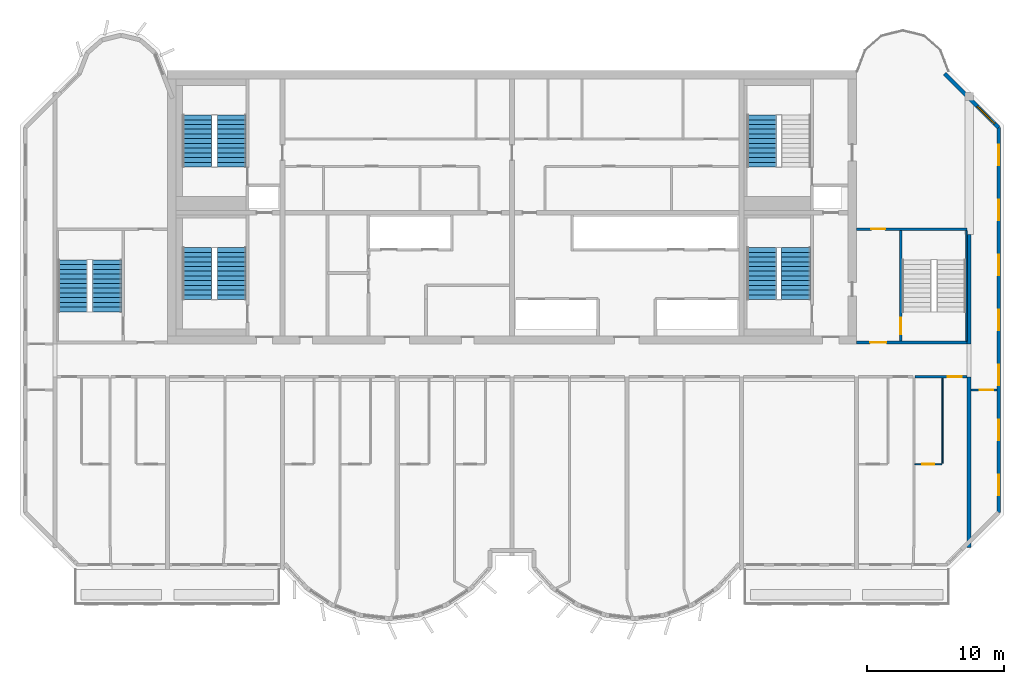
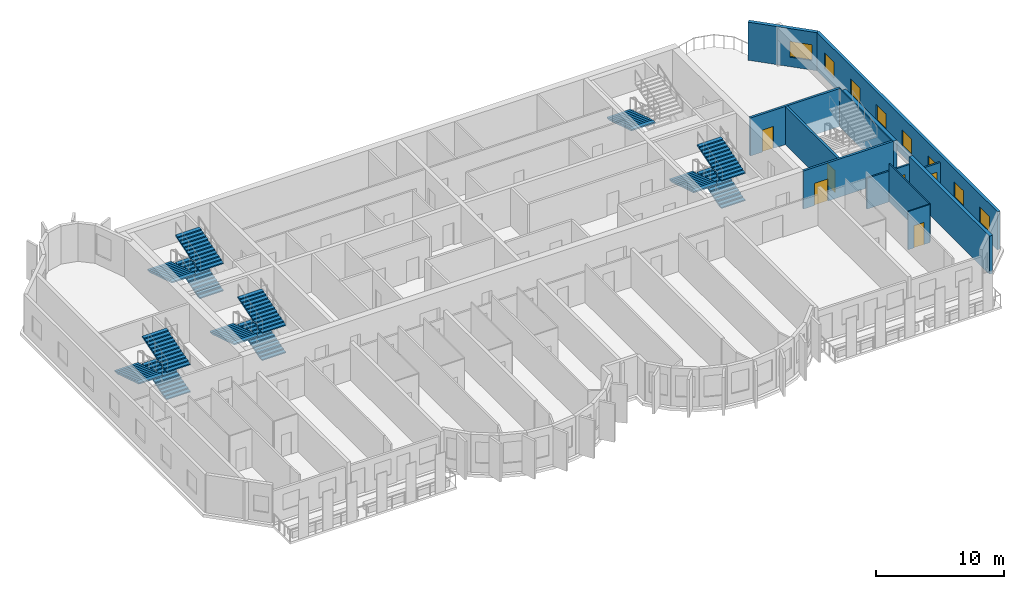
# One storey, part 8 of 12: 13 stair flights, 12 walls, 8 windows, 6 doors, 14 openings, 5 elements without a shape of their own.
"""IFC4 building model written with IfcOpenShell, lengths in metres."""

from ifc_helpers import new_model, si_unit, direction, frame, frame_2d, origin, place, context, subcontext, project, spatial, polyline, rectangle, outline, extrude, source, transform, mapped, material, layer, layer_set, type_object, element, fill, aggregate, save


model = new_model("IFC4")

# Units and contexts
model_context = context("Model", 3, precision=1e-05, world=origin(), true_north=direction((0.0, 1.0)))
body_context = subcontext(model_context, "Body", "Model", "MODEL_VIEW")
ifc_project = project(units=[si_unit("LENGTHUNIT", "METRE"), si_unit("AREAUNIT", "SQUARE_METRE"), si_unit("VOLUMEUNIT", "CUBIC_METRE"), si_unit("PLANEANGLEUNIT", "RADIAN"), si_unit("MASSUNIT", "GRAM", prefix="KILO")], contexts=[model_context])

# Site, building, storey
site_placement = place(None, origin())
site = spatial("IfcSite", under=ifc_project, at=site_placement, CompositionType="ELEMENT")
building_placement = place(site_placement, origin())
building = spatial("IfcBuilding", under=site, at=building_placement, Name="Vanashikhar Sky Hotel", CompositionType="ELEMENT")
storey_placement = place(building_placement, frame((0.0, 0.0, 237.39990234375)))
storey = spatial("IfcBuildingStorey", under=building, at=storey_placement, Name="L57", CompositionType="ELEMENT", Elevation=237.39990234375)

# Walls
ifc_material_1 = material(Name="Concrete M60", Category="concrete")
ifc_layer_1 = layer(ifc_material_1, 0.300048828125)
ifc_layer_set_1 = layer_set([ifc_layer_1], Name="RC shear wall 300 Concrete M60")
wall_type_1 = type_object("IfcWallType", Name="RC shear wall 300 Concrete M60", PredefinedType="SHEAR", material=ifc_layer_set_1)
shared_shape_1 = source(origin(), body_context, "Body", "SweptSolid", [
    extrude(rectangle(XDim=12.5, YDim=0.300048828125, at=frame_2d((6.25, 0.0))), origin(), (0.0, 0.0, 1.0), 3.6201171875),
])
wall_1_placement = place(storey_placement, frame((83.85009765625, 7.10009765625, 0.0), z_axis=(0.0, 0.0, 1.0), x_axis=(0.0, 1.0, 0.0)))
element("IfcWall", 1, at=wall_1_placement, inside=storey, type_object=wall_type_1, Name="CW-L57-XW11-1", PredefinedType="SHEAR", context=body_context, shape_type="MappedRepresentation", body=[
    mapped(shared_shape_1, transform((0.0, 0.0, 0.0), scale=1.0)),
])
shared_shape_2 = source(origin(), body_context, "Body", "SweptSolid", [
    extrude(rectangle(XDim=8.0, YDim=0.300048828125, at=frame_2d((4.0, 0.0))), origin(), (0.0, 0.0, 1.0), 3.6201171875),
])
wall_2_placement = place(storey_placement, frame((83.85009765625, 22.0, 0.0), z_axis=(0.0, 0.0, 1.0), x_axis=(0.0, 1.0, 0.0)))
element("IfcWall", 2, at=wall_2_placement, inside=storey, type_object=wall_type_1, Name="CW-L57-XW11-2", PredefinedType="SHEAR", context=body_context, shape_type="MappedRepresentation", body=[
    mapped(shared_shape_2, transform((0.0, 0.0, 0.0), scale=1.0)),
])

# Wall, opening, window
ifc_material_2 = material(Name="Concrete M50", Category="concrete")
ifc_layer_2 = layer(ifc_material_2, 0.300048828125)
ifc_layer_set_2 = layer_set([ifc_layer_2], Name="Lobe wall 300")
wall_type_2 = type_object("IfcWallType", Name="Lobe wall 300", PredefinedType="SOLIDWALL", material=ifc_layer_set_2)
shared_shape_3 = source(origin(), body_context, "Body", "SweptSolid", [
    extrude(rectangle(XDim=5.576416015625, YDim=0.300048828125, at=frame_2d((2.7880859375, 0.0))), origin(), (0.0, 0.0, 1.0), 3.6201171875),
])
wall_3_placement = place(storey_placement, frame((86.0, 37.834228515625, 0.0), z_axis=(0.0, 0.0, 1.0), x_axis=(-0.707106781187, 0.707106781187, 0.0)))
wall_3 = element("IfcWall", 3, at=wall_3_placement, inside=storey, type_object=wall_type_2, Name="Corner wall", PredefinedType="SOLIDWALL", context=body_context, shape_type="MappedRepresentation", body=[
    mapped(shared_shape_3, transform((0.0, 0.0, 0.0), scale=1.0)),
])
shared_shape_4 = source(origin(), body_context, "Body", "SweptSolid", [
    extrude(rectangle(XDim=1.800048828125, YDim=1.5, at=frame_2d((0.89990234375, 0.75))), frame((0.0, 0.16015625, 0.0), z_axis=(0.0, -1.0, 0.0), x_axis=(1.0, 0.0, 0.0)), (0.0, 0.0, 1.0), 0.320068359375),
])
opening_1_placement = place(wall_3_placement, frame((0.399169921875, 0.0, 0.89990234375)))
opening_1 = element("IfcOpeningElement", 4, at=opening_1_placement, cuts=wall_3, Name="Opening WN-4", PredefinedType="OPENING", context=body_context, shape_type="MappedRepresentation", body=[
    mapped(shared_shape_4, transform((0.0, 0.0, 0.0), scale=1.0)),
])
ifc_material_3 = material(Name="Glass", Category="glass")
window_type_1 = type_object("IfcWindowType", Name="Corner window 1800 x 1500", PartitioningType="SINGLE_PANEL", PredefinedType="WINDOW", material=ifc_material_3)
shared_shape_5 = source(origin(), body_context, "Body", "SweptSolid", [
    extrude(rectangle(XDim=1.800048828125, YDim=1.5, at=frame_2d((0.89990234375, 0.75))), frame((0.0, 0.030029296875, 0.0), z_axis=(0.0, -1.0, 0.0), x_axis=(1.0, 0.0, 0.0)), (0.0, 0.0, 1.0), 0.06005859375),
])
window_1_placement = place(opening_1_placement, origin())
window_1 = element("IfcWindow", 5, at=window_1_placement, inside=storey, type_object=window_type_1, Name="Window WN-4", OverallHeight=1.5, OverallWidth=1.800048828125, PartitioningType="SINGLE_PANEL", PredefinedType="WINDOW", context=body_context, shape_type="MappedRepresentation", body=[
    mapped(shared_shape_5, transform((0.0, 0.0, 0.0), scale=1.0)),
])
fill(opening_1, window_1)

# Wall, openings, windows
ifc_layer_3 = layer(ifc_material_2, 0.25)
ifc_layer_set_3 = layer_set([ifc_layer_3], Name="Rear and end board-marked wall 250")
wall_type_3 = type_object("IfcWallType", Name="Rear and end board-marked wall 250", PredefinedType="SOLIDWALL", material=ifc_layer_set_3)
shared_shape_6 = source(origin(), body_context, "Body", "SweptSolid", [
    extrude(rectangle(XDim=28.189453125, YDim=0.25, at=frame_2d((14.0947265625, 0.0))), origin(), (0.0, 0.0, 1.0), 3.6201171875),
])
wall_4_placement = place(storey_placement, frame((86.02490234375, 9.6552734375, 0.0), z_axis=(0.0, 0.0, 1.0), x_axis=(0.0, 1.0, 0.0)))
wall_4 = element("IfcWall", 6, at=wall_4_placement, inside=storey, type_object=wall_type_3, Name="End board-marked wall", PredefinedType="SOLIDWALL", context=body_context, shape_type="MappedRepresentation", body=[
    mapped(shared_shape_6, transform((0.0, 0.0, 0.0), scale=1.0)),
])
shared_shape_7 = source(origin(), body_context, "Body", "SweptSolid", [
    extrude(rectangle(XDim=1.5, YDim=1.5, at=frame_2d((0.75, 0.75))), frame((0.0, 0.135009765625, 0.0), z_axis=(0.0, -1.0, 0.0), x_axis=(1.0, 0.0, 0.0)), (0.0, 0.0, 1.0), 0.27001953125),
])
opening_2_placement = place(wall_4_placement, frame((1.263427734375, 0.0, 0.89990234375)))
opening_2 = element("IfcOpeningElement", 7, at=opening_2_placement, cuts=wall_4, Name="Opening WN-1", PredefinedType="OPENING", context=body_context, shape_type="MappedRepresentation", body=[
    mapped(shared_shape_7, transform((0.0, 0.0, 0.0), scale=1.0)),
])
opening_3_placement = place(wall_4_placement, frame((5.29052734375, 0.0, 0.89990234375)))
opening_3 = element("IfcOpeningElement", 8, at=opening_3_placement, cuts=wall_4, Name="Opening WN-1", PredefinedType="OPENING", context=body_context, shape_type="MappedRepresentation", body=[
    mapped(shared_shape_7, transform((0.0, 0.0, 0.0), scale=1.0)),
])
opening_4_placement = place(wall_4_placement, frame((9.317626953125, 0.0, 0.89990234375)))
opening_4 = element("IfcOpeningElement", 9, at=opening_4_placement, cuts=wall_4, Name="Opening WN-1", PredefinedType="OPENING", context=body_context, shape_type="MappedRepresentation", body=[
    mapped(shared_shape_7, transform((0.0, 0.0, 0.0), scale=1.0)),
])
opening_5_placement = place(wall_4_placement, frame((13.3447265625, 0.0, 0.89990234375)))
opening_5 = element("IfcOpeningElement", 10, at=opening_5_placement, cuts=wall_4, Name="Opening WN-1", PredefinedType="OPENING", context=body_context, shape_type="MappedRepresentation", body=[
    mapped(shared_shape_7, transform((0.0, 0.0, 0.0), scale=1.0)),
])
opening_6_placement = place(wall_4_placement, frame((17.371826171875, 0.0, 0.89990234375)))
opening_6 = element("IfcOpeningElement", 11, at=opening_6_placement, cuts=wall_4, Name="Opening WN-1", PredefinedType="OPENING", context=body_context, shape_type="MappedRepresentation", body=[
    mapped(shared_shape_7, transform((0.0, 0.0, 0.0), scale=1.0)),
])
opening_7_placement = place(wall_4_placement, frame((21.398681640625, 0.0, 0.89990234375)))
opening_7 = element("IfcOpeningElement", 12, at=opening_7_placement, cuts=wall_4, Name="Opening WN-1", PredefinedType="OPENING", context=body_context, shape_type="MappedRepresentation", body=[
    mapped(shared_shape_7, transform((0.0, 0.0, 0.0), scale=1.0)),
])
opening_8_placement = place(wall_4_placement, frame((25.42578125, 0.0, 0.89990234375)))
opening_8 = element("IfcOpeningElement", 13, at=opening_8_placement, cuts=wall_4, Name="Opening WN-1", PredefinedType="OPENING", context=body_context, shape_type="MappedRepresentation", body=[
    mapped(shared_shape_7, transform((0.0, 0.0, 0.0), scale=1.0)),
])
window_type_2 = type_object("IfcWindowType", Name="Window 1500 x 1500", PartitioningType="SINGLE_PANEL", PredefinedType="WINDOW", material=ifc_material_3)
shared_shape_8 = source(origin(), body_context, "Body", "SweptSolid", [
    extrude(rectangle(XDim=1.5, YDim=1.5, at=frame_2d((0.75, 0.75))), frame((0.0, 0.030029296875, 0.0), z_axis=(0.0, -1.0, 0.0), x_axis=(1.0, 0.0, 0.0)), (0.0, 0.0, 1.0), 0.06005859375),
])
window_2_placement = place(opening_2_placement, origin())
window_2 = element("IfcWindow", 14, at=window_2_placement, inside=storey, type_object=window_type_2, Name="Window WN-1", OverallHeight=1.5, OverallWidth=1.5, PartitioningType="SINGLE_PANEL", PredefinedType="WINDOW", context=body_context, shape_type="MappedRepresentation", body=[
    mapped(shared_shape_8, transform((0.0, 0.0, 0.0), scale=1.0)),
])
fill(opening_2, window_2)
window_3_placement = place(opening_3_placement, origin())
window_3 = element("IfcWindow", 15, at=window_3_placement, inside=storey, type_object=window_type_2, Name="Window WN-1", OverallHeight=1.5, OverallWidth=1.5, PartitioningType="SINGLE_PANEL", PredefinedType="WINDOW", context=body_context, shape_type="MappedRepresentation", body=[
    mapped(shared_shape_8, transform((0.0, 0.0, 0.0), scale=1.0)),
])
fill(opening_3, window_3)
window_4_placement = place(opening_4_placement, origin())
window_4 = element("IfcWindow", 16, at=window_4_placement, inside=storey, type_object=window_type_2, Name="Window WN-1", OverallHeight=1.5, OverallWidth=1.5, PartitioningType="SINGLE_PANEL", PredefinedType="WINDOW", context=body_context, shape_type="MappedRepresentation", body=[
    mapped(shared_shape_8, transform((0.0, 0.0, 0.0), scale=1.0)),
])
fill(opening_4, window_4)
window_5_placement = place(opening_5_placement, origin())
window_5 = element("IfcWindow", 17, at=window_5_placement, inside=storey, type_object=window_type_2, Name="Window WN-1", OverallHeight=1.5, OverallWidth=1.5, PartitioningType="SINGLE_PANEL", PredefinedType="WINDOW", context=body_context, shape_type="MappedRepresentation", body=[
    mapped(shared_shape_8, transform((0.0, 0.0, 0.0), scale=1.0)),
])
fill(opening_5, window_5)
window_6_placement = place(opening_6_placement, origin())
window_6 = element("IfcWindow", 18, at=window_6_placement, inside=storey, type_object=window_type_2, Name="Window WN-1", OverallHeight=1.5, OverallWidth=1.5, PartitioningType="SINGLE_PANEL", PredefinedType="WINDOW", context=body_context, shape_type="MappedRepresentation", body=[
    mapped(shared_shape_8, transform((0.0, 0.0, 0.0), scale=1.0)),
])
fill(opening_6, window_6)
window_7_placement = place(opening_7_placement, origin())
window_7 = element("IfcWindow", 19, at=window_7_placement, inside=storey, type_object=window_type_2, Name="Window WN-1", OverallHeight=1.5, OverallWidth=1.5, PartitioningType="SINGLE_PANEL", PredefinedType="WINDOW", context=body_context, shape_type="MappedRepresentation", body=[
    mapped(shared_shape_8, transform((0.0, 0.0, 0.0), scale=1.0)),
])
fill(opening_7, window_7)
window_8_placement = place(opening_8_placement, origin())
window_8 = element("IfcWindow", 20, at=window_8_placement, inside=storey, type_object=window_type_2, Name="Window WN-1", OverallHeight=1.5, OverallWidth=1.5, PartitioningType="SINGLE_PANEL", PredefinedType="WINDOW", context=body_context, shape_type="MappedRepresentation", body=[
    mapped(shared_shape_8, transform((0.0, 0.0, 0.0), scale=1.0)),
])
fill(opening_8, window_8)

# Wall, opening, door
ifc_layer_4 = layer(ifc_material_2, 0.199951171875)
ifc_layer_set_4 = layer_set([ifc_layer_4], Name="Stair wall 200")
wall_type_4 = type_object("IfcWallType", Name="Stair wall 200", PredefinedType="SOLIDWALL", material=ifc_layer_set_4)
shared_shape_9 = source(origin(), body_context, "Body", "SweptSolid", [
    extrude(rectangle(XDim=8.2998046875, YDim=0.199951171875, at=frame_2d((4.14990234375, 0.0))), origin(), (0.0, 0.0, 1.0), 3.6201171875),
])
wall_5_placement = place(storey_placement, frame((78.85009765625, 22.10009765625, 0.0), z_axis=(0.0, 0.0, 1.0), x_axis=(0.0, 1.0, 0.0)))
wall_5 = element("IfcWall", 21, at=wall_5_placement, inside=storey, type_object=wall_type_4, Name="Stair wall 200", PredefinedType="SOLIDWALL", context=body_context, shape_type="MappedRepresentation", body=[
    mapped(shared_shape_9, transform((0.0, 0.0, 0.0), scale=1.0)),
])
shared_shape_10 = source(origin(), body_context, "Body", "SweptSolid", [
    extrude(rectangle(XDim=1.199951171875, YDim=2.10009765625, at=frame_2d((0.60009765625, 1.050048828125))), frame((0.0, 0.10986328125, 0.0), z_axis=(0.0, -1.0, 0.0), x_axis=(1.0, 0.0, 0.0)), (0.0, 0.0, 1.0), 0.219970703125),
])
opening_9_placement = place(wall_5_placement, frame((0.60009765625, 0.0, 0.0)))
opening_9 = element("IfcOpeningElement", 22, at=opening_9_placement, cuts=wall_5, Name="Opening DC-1", PredefinedType="OPENING", context=body_context, shape_type="MappedRepresentation", body=[
    mapped(shared_shape_10, transform((0.0, 0.0, 0.0), scale=1.0)),
])
ifc_material_4 = material(Name="Steel", Category="steel")
door_type_1 = type_object("IfcDoorType", Name="Stair door 1200 FD120", OperationType="NOTDEFINED", PredefinedType="DOOR", material=ifc_material_4)
shared_shape_11 = source(origin(), body_context, "Body", "SweptSolid", [
    extrude(rectangle(XDim=1.199951171875, YDim=2.10009765625, at=frame_2d((0.60009765625, 1.050048828125))), frame((0.0, 0.02490234375, 0.0), z_axis=(0.0, -1.0, 0.0), x_axis=(1.0, 0.0, 0.0)), (0.0, 0.0, 1.0), 0.050048828125),
])
door_1_placement = place(opening_9_placement, origin())
door_1 = element("IfcDoor", 23, at=door_1_placement, inside=storey, type_object=door_type_1, Name="Stair door 1200 FD120", OperationType="SINGLE_SWING_RIGHT", OverallHeight=2.10009765625, OverallWidth=1.199951171875, PredefinedType="DOOR", context=body_context, shape_type="MappedRepresentation", body=[
    mapped(shared_shape_11, transform((0.0, 0.0, 0.0), scale=1.0)),
])
fill(opening_9, door_1)

shared_shape_12 = source(origin(), body_context, "Body", "SweptSolid", [
    extrude(rectangle(XDim=8.099853515625, YDim=0.199951171875, at=frame_2d((4.0498046875, 0.0))), origin(), (0.0, 0.0, 1.0), 3.6201171875),
])
wall_6_placement = place(storey_placement, frame((83.699951171875, 22.10009765625, 0.0), z_axis=(0.0, 0.0, 1.0), x_axis=(-1.0, 0.0, 0.0)))
wall_6 = element("IfcWall", 24, at=wall_6_placement, inside=storey, type_object=wall_type_4, Name="Stair wall 200", PredefinedType="SOLIDWALL", context=body_context, shape_type="MappedRepresentation", body=[
    mapped(shared_shape_12, transform((0.0, 0.0, 0.0), scale=1.0)),
])
opening_10_placement = place(wall_6_placement, frame((5.89990234375, 0.0, 0.0)))
opening_10 = element("IfcOpeningElement", 25, at=opening_10_placement, cuts=wall_6, Name="Opening DC-2", PredefinedType="OPENING", context=body_context, shape_type="MappedRepresentation", body=[
    mapped(shared_shape_10, transform((0.0, 0.0, 0.0), scale=1.0)),
])
door_type_2 = type_object("IfcDoorType", Name="Firefighting lobby door 1200 FD120", OperationType="NOTDEFINED", PredefinedType="DOOR", material=ifc_material_4)
door_2_placement = place(opening_10_placement, origin())
door_2 = element("IfcDoor", 26, at=door_2_placement, inside=storey, type_object=door_type_2, Name="Firefighting lobby door 1200 FD120", OperationType="SINGLE_SWING_LEFT", OverallHeight=2.10009765625, OverallWidth=1.199951171875, PredefinedType="DOOR", context=body_context, shape_type="MappedRepresentation", body=[
    mapped(shared_shape_11, transform((0.0, 0.0, 0.0), scale=1.0)),
])
fill(opening_10, door_2)

wall_7_placement = place(storey_placement, frame((83.699951171875, 30.39990234375, 0.0), z_axis=(0.0, 0.0, 1.0), x_axis=(-1.0, 0.0, 0.0)))
wall_7 = element("IfcWall", 27, at=wall_7_placement, inside=storey, type_object=wall_type_4, Name="Stair wall 200", PredefinedType="SOLIDWALL", context=body_context, shape_type="MappedRepresentation", body=[
    mapped(shared_shape_12, transform((0.0, 0.0, 0.0), scale=1.0)),
])
shared_shape_13 = source(origin(), body_context, "Body", "SweptSolid", [
    extrude(rectangle(XDim=1.0, YDim=2.10009765625, at=frame_2d((0.5, 1.050048828125))), frame((0.0, 0.10986328125, 0.0), z_axis=(0.0, -1.0, 0.0), x_axis=(1.0, 0.0, 0.0)), (0.0, 0.0, 1.0), 0.219970703125),
])
opening_11_placement = place(wall_7_placement, frame((6.0, 0.0, 0.0)))
opening_11 = element("IfcOpeningElement", 28, at=opening_11_placement, cuts=wall_7, Name="Opening DC-6", PredefinedType="OPENING", context=body_context, shape_type="MappedRepresentation", body=[
    mapped(shared_shape_13, transform((0.0, 0.0, 0.0), scale=1.0)),
])
door_type_3 = type_object("IfcDoorType", Name="Pocket door 1000 FD60", OperationType="NOTDEFINED", PredefinedType="DOOR", material=ifc_material_4)
shared_shape_14 = source(origin(), body_context, "Body", "SweptSolid", [
    extrude(rectangle(XDim=1.0, YDim=2.10009765625, at=frame_2d((0.5, 1.050048828125))), frame((0.0, 0.02490234375, 0.0), z_axis=(0.0, -1.0, 0.0), x_axis=(1.0, 0.0, 0.0)), (0.0, 0.0, 1.0), 0.050048828125),
])
door_3_placement = place(opening_11_placement, origin())
door_3 = element("IfcDoor", 29, at=door_3_placement, inside=storey, type_object=door_type_3, Name="Pocket door 1000 FD60", OperationType="SINGLE_SWING_LEFT", OverallHeight=2.10009765625, OverallWidth=1.0, PredefinedType="DOOR", context=body_context, shape_type="MappedRepresentation", body=[
    mapped(shared_shape_14, transform((0.0, 0.0, 0.0), scale=1.0)),
])
fill(opening_11, door_3)

# Wall
ifc_layer_5 = layer(ifc_material_2, 0.10009765625)
ifc_layer_set_5 = layer_set([ifc_layer_5], Name="Stair infill wall 100")
wall_type_5 = type_object("IfcWallType", Name="Stair infill wall 100", PredefinedType="SOLIDWALL", material=ifc_layer_set_5)
shared_shape_15 = source(origin(), body_context, "Body", "SweptSolid", [
    extrude(rectangle(XDim=8.10009765625, YDim=0.10009765625, at=frame_2d((4.050048828125, 0.0))), origin(), (0.0, 0.0, 1.0), 3.6201171875),
])
wall_8_placement = place(storey_placement, frame((83.64990234375, 22.199951171875, 0.0), z_axis=(0.0, 0.0, 1.0), x_axis=(0.0, 1.0, 0.0)))
element("IfcWall", 30, at=wall_8_placement, inside=storey, type_object=wall_type_5, Name="Stair infill wall 100", PredefinedType="SOLIDWALL", context=body_context, shape_type="MappedRepresentation", body=[
    mapped(shared_shape_15, transform((0.0, 0.0, 0.0), scale=1.0)),
])

# Wall, opening, door
ifc_material_5 = material(Name="Gypsum plasterboard partition")
ifc_layer_6 = layer(ifc_material_5, 0.10009765625)
ifc_layer_set_6 = layer_set([ifc_layer_6], Name="Wet room partition 100")
wall_type_6 = type_object("IfcWallType", Name="Wet room partition 100", PredefinedType="PARTITIONING", material=ifc_layer_set_6)
shared_shape_16 = source(origin(), body_context, "Body", "SweptSolid", [
    extrude(rectangle(XDim=1.97509765625, YDim=0.10009765625, at=frame_2d((0.987548828125, 0.0))), origin(), (0.0, 0.0, 1.0), 3.6201171875),
])
wall_9_placement = place(storey_placement, frame((79.875, 13.199951171875, 0.0), z_axis=(0.0, 0.0, 1.0), x_axis=(1.0, 0.0, 0.0)))
wall_9 = element("IfcWall", 31, at=wall_9_placement, inside=storey, type_object=wall_type_6, Name="W-L57-PW036", PredefinedType="PARTITIONING", context=body_context, shape_type="MappedRepresentation", body=[
    mapped(shared_shape_16, transform((0.0, 0.0, 0.0), scale=1.0)),
])
shared_shape_17 = source(origin(), body_context, "Body", "SweptSolid", [
    extrude(rectangle(XDim=0.89990234375, YDim=2.10009765625, at=frame_2d((0.449951171875, 1.050048828125))), frame((0.0, 0.06005859375, 0.0), z_axis=(0.0, -1.0, 0.0), x_axis=(1.0, 0.0, 0.0)), (0.0, 0.0, 1.0), 0.1201171875),
])
opening_12_placement = place(wall_9_placement, frame((0.5380859375, 0.0, 0.0)))
opening_12 = element("IfcOpeningElement", 32, at=opening_12_placement, cuts=wall_9, Name="Opening D-02", PredefinedType="OPENING", context=body_context, shape_type="MappedRepresentation", body=[
    mapped(shared_shape_17, transform((0.0, 0.0, 0.0), scale=1.0)),
])
ifc_material_6 = material(Name="Timber door", Category="wood")
door_type_4 = type_object("IfcDoorType", Name="Internal door 900", OperationType="NOTDEFINED", PredefinedType="DOOR", material=ifc_material_6)
shared_shape_18 = source(origin(), body_context, "Body", "SweptSolid", [
    extrude(rectangle(XDim=0.89990234375, YDim=2.10009765625, at=frame_2d((0.449951171875, 1.050048828125))), frame((0.0, 0.02490234375, 0.0), z_axis=(0.0, -1.0, 0.0), x_axis=(1.0, 0.0, 0.0)), (0.0, 0.0, 1.0), 0.050048828125),
])
door_4_placement = place(opening_12_placement, origin())
door_4 = element("IfcDoor", 33, at=door_4_placement, inside=storey, type_object=door_type_4, Name="D-L57-022", OperationType="SINGLE_SWING_RIGHT", OverallHeight=2.10009765625, OverallWidth=0.89990234375, PredefinedType="DOOR", context=body_context, shape_type="MappedRepresentation", body=[
    mapped(shared_shape_18, transform((0.0, 0.0, 0.0), scale=1.0)),
])
fill(opening_12, door_4)

ifc_layer_7 = layer(ifc_material_5, 0.14990234375)
ifc_layer_set_7 = layer_set([ifc_layer_7], Name="Corridor and demising partition 150")
wall_type_7 = type_object("IfcWallType", Name="Corridor and demising partition 150", PredefinedType="PARTITIONING", material=ifc_layer_set_7)
shared_shape_19 = source(origin(), body_context, "Body", "SweptSolid", [
    extrude(rectangle(XDim=3.824951171875, YDim=0.14990234375, at=frame_2d((1.91259765625, 0.0))), origin(), (0.0, 0.0, 1.0), 2.920166015625),
])
wall_10_placement = place(storey_placement, frame((79.875, 19.60009765625, 0.0), z_axis=(0.0, 0.0, 1.0), x_axis=(1.0, 0.0, 0.0)))
wall_10 = element("IfcWall", 34, at=wall_10_placement, inside=storey, type_object=wall_type_7, Name="W-L57-PW037", PredefinedType="PARTITIONING", context=body_context, shape_type="MappedRepresentation", body=[
    mapped(shared_shape_19, transform((0.0, 0.0, 0.0), scale=1.0)),
])
shared_shape_20 = source(origin(), body_context, "Body", "SweptSolid", [
    extrude(rectangle(XDim=1.0, YDim=2.10009765625, at=frame_2d((0.5, 1.050048828125))), frame((0.0, 0.0849609375, 0.0), z_axis=(0.0, -1.0, 0.0), x_axis=(1.0, 0.0, 0.0)), (0.0, 0.0, 1.0), 0.169921875),
])
opening_13_placement = place(wall_10_placement, frame((2.425048828125, 0.0, 0.0)))
opening_13 = element("IfcOpeningElement", 35, at=opening_13_placement, cuts=wall_10, Name="Opening D-01", PredefinedType="OPENING", context=body_context, shape_type="MappedRepresentation", body=[
    mapped(shared_shape_20, transform((0.0, 0.0, 0.0), scale=1.0)),
])
ifc_material_7 = material(Name="Timber fire door", Category="wood")
door_type_5 = type_object("IfcDoorType", Name="Guest entry door 1000 FD30S", OperationType="NOTDEFINED", PredefinedType="DOOR", material=ifc_material_7)
door_5_placement = place(opening_13_placement, origin())
door_5 = element("IfcDoor", 36, at=door_5_placement, inside=storey, type_object=door_type_5, Name="D-L57-023", OperationType="SINGLE_SWING_RIGHT", OverallHeight=2.10009765625, OverallWidth=1.0, PredefinedType="DOOR", context=body_context, shape_type="MappedRepresentation", body=[
    mapped(shared_shape_14, transform((0.0, 0.0, 0.0), scale=1.0)),
])
fill(opening_13, door_5)

shared_shape_21 = source(origin(), body_context, "Body", "SweptSolid", [
    extrude(rectangle(XDim=1.89990234375, YDim=0.14990234375, at=frame_2d((0.949951171875, 0.0))), origin(), (0.0, 0.0, 1.0), 2.920166015625),
])
wall_11_placement = place(storey_placement, frame((84.0, 18.6279296875, 0.0), z_axis=(0.0, 0.0, 1.0), x_axis=(1.0, 0.0, 0.0)))
wall_11 = element("IfcWall", 37, at=wall_11_placement, inside=storey, type_object=wall_type_7, Name="W-L57-PW043", PredefinedType="PARTITIONING", context=body_context, shape_type="MappedRepresentation", body=[
    mapped(shared_shape_21, transform((0.0, 0.0, 0.0), scale=1.0)),
])
opening_14_placement = place(wall_11_placement, frame((0.625, 0.0, 0.0)))
opening_14 = element("IfcOpeningElement", 38, at=opening_14_placement, cuts=wall_11, Name="Opening D-01", PredefinedType="OPENING", context=body_context, shape_type="MappedRepresentation", body=[
    mapped(shared_shape_20, transform((0.0, 0.0, 0.0), scale=1.0)),
])
door_6_placement = place(opening_14_placement, origin())
door_6 = element("IfcDoor", 39, at=door_6_placement, inside=storey, type_object=door_type_5, Name="D-L57-026", OperationType="SINGLE_SWING_RIGHT", OverallHeight=2.10009765625, OverallWidth=1.0, PredefinedType="DOOR", context=body_context, shape_type="MappedRepresentation", body=[
    mapped(shared_shape_14, transform((0.0, 0.0, 0.0), scale=1.0)),
])
fill(opening_14, door_6)

# Wall
shared_shape_22 = source(origin(), body_context, "Body", "SweptSolid", [
    extrude(rectangle(XDim=6.25, YDim=0.10009765625, at=frame_2d((3.125, 0.0))), origin(), (0.0, 0.0, 1.0), 3.6201171875),
])
wall_12_placement = place(storey_placement, frame((81.89990234375, 13.27490234375, 0.0), z_axis=(0.0, 0.0, 1.0), x_axis=(0.0, 1.0, 0.0)))
element("IfcWall", 40, at=wall_12_placement, inside=storey, type_object=wall_type_6, Name="W-L57-PW035", PredefinedType="PARTITIONING", context=body_context, shape_type="MappedRepresentation", body=[
    mapped(shared_shape_22, transform((0.0, 0.0, 0.0), scale=1.0)),
])

# Stair, stair flights
ifc_material_8 = material(Name="Concrete M40", Category="concrete")
stair_type = type_object("IfcStairType", Name="Exit stair 2150", PredefinedType="DOUBLE_RETURN_STAIR", material=ifc_material_8)
stair_1_placement = place(storey_placement, origin())
stair_1 = element("IfcStair", 41, at=stair_1_placement, inside=storey, type_object=stair_type, Name="L57 Exit stair 1", PredefinedType="DOUBLE_RETURN_STAIR")
stair_flight_type = type_object("IfcStairFlightType", Name="Stair flight 2150", PredefinedType="STRAIGHT", material=ifc_material_8)
shared_shape_23 = source(origin(), body_context, "Body", "SweptSolid", [
    extrude(outline(polyline([(0.0, 0.0), (0.0, 0.1083984375), (0.345458984375, 0.1083984375), (0.345458984375, 0.216552734375), (0.69091796875, 0.216552734375), (0.69091796875, 0.324951171875), (1.036376953125, 0.324951171875), (1.036376953125, 0.433349609375), (1.3818359375, 0.433349609375), (1.3818359375, 0.541748046875), (1.727294921875, 0.541748046875), (1.727294921875, 0.64990234375), (2.07275390625, 0.64990234375), (2.07275390625, 0.75830078125), (2.418212890625, 0.75830078125), (2.418212890625, 0.86669921875), (2.763671875, 0.86669921875), (2.763671875, 0.97509765625), (3.109130859375, 0.97509765625), (3.109130859375, 1.083251953125), (3.45458984375, 1.083251953125), (3.45458984375, 1.191650390625), (3.800048828125, 1.191650390625), (3.800048828125, 1.300048828125), (3.800048828125, 1.065673828125), (0.4013671875, 0.0), (0.0, 0.0)])), frame((0.0, 1.074951171875, 0.0), z_axis=(0.0, -1.0, 0.0), x_axis=(1.0, 0.0, 0.0)), (0.0, 0.0, 1.0), 2.14990234375),
])
stair_flight_1_placement = place(storey_placement, frame((29.875, 25.25, 0.0), z_axis=(0.0, 0.0, 1.0), x_axis=(0.0, 1.0, 0.0)))
stair_flight_1 = element("IfcStairFlight", 42, at=stair_flight_1_placement, type_object=stair_flight_type, Name="ST-C1 flight 1", NumberOfRisers=12, NumberOfTreads=11, PredefinedType="STRAIGHT", RiserHeight=0.108333333, TreadLength=0.345454545, context=body_context, shape_type="MappedRepresentation", body=[
    mapped(shared_shape_23, transform((0.0, 0.0, 0.0), scale=1.0)),
])
stair_flight_2_placement = place(storey_placement, frame((27.375, 29.050048828125, 1.300048828125), z_axis=(0.0, 0.0, 1.0), x_axis=(0.0, -1.0, 0.0)))
stair_flight_2 = element("IfcStairFlight", 43, at=stair_flight_2_placement, type_object=stair_flight_type, Name="ST-C1 flight 2", NumberOfRisers=12, NumberOfTreads=11, PredefinedType="STRAIGHT", RiserHeight=0.108333333, TreadLength=0.345454545, context=body_context, shape_type="MappedRepresentation", body=[
    mapped(shared_shape_23, transform((0.0, 0.0, 0.0), scale=1.0)),
])
stair_flight_3_placement = place(storey_placement, frame((29.875, 25.25, 2.60009765625), z_axis=(0.0, 0.0, 1.0), x_axis=(0.0, 1.0, 0.0)))
stair_flight_3 = element("IfcStairFlight", 44, at=stair_flight_3_placement, type_object=stair_flight_type, Name="ST-C1 flight 3", NumberOfRisers=12, NumberOfTreads=11, PredefinedType="STRAIGHT", RiserHeight=0.108333333, TreadLength=0.345454545, context=body_context, shape_type="MappedRepresentation", body=[
    mapped(shared_shape_23, transform((0.0, 0.0, 0.0), scale=1.0)),
])
aggregate(stair_1, [stair_flight_1, stair_flight_2, stair_flight_3])

stair_2_placement = place(storey_placement, origin())
stair_2 = element("IfcStair", 45, at=stair_2_placement, inside=storey, type_object=stair_type, Name="L57 Exit stair 2", PredefinedType="DOUBLE_RETURN_STAIR")
stair_flight_4_placement = place(storey_placement, frame((71.175048828125, 25.25, 0.0), z_axis=(0.0, 0.0, 1.0), x_axis=(0.0, 1.0, 0.0)))
stair_flight_4 = element("IfcStairFlight", 46, at=stair_flight_4_placement, type_object=stair_flight_type, Name="ST-C2 flight 1", NumberOfRisers=12, NumberOfTreads=11, PredefinedType="STRAIGHT", RiserHeight=0.108333333, TreadLength=0.345454545, context=body_context, shape_type="MappedRepresentation", body=[
    mapped(shared_shape_23, transform((0.0, 0.0, 0.0), scale=1.0)),
])
stair_flight_5_placement = place(storey_placement, frame((68.675048828125, 29.050048828125, 1.300048828125), z_axis=(0.0, 0.0, 1.0), x_axis=(0.0, -1.0, 0.0)))
stair_flight_5 = element("IfcStairFlight", 47, at=stair_flight_5_placement, type_object=stair_flight_type, Name="ST-C2 flight 2", NumberOfRisers=12, NumberOfTreads=11, PredefinedType="STRAIGHT", RiserHeight=0.108333333, TreadLength=0.345454545, context=body_context, shape_type="MappedRepresentation", body=[
    mapped(shared_shape_23, transform((0.0, 0.0, 0.0), scale=1.0)),
])
stair_flight_6_placement = place(storey_placement, frame((71.175048828125, 25.25, 2.60009765625), z_axis=(0.0, 0.0, 1.0), x_axis=(0.0, 1.0, 0.0)))
stair_flight_6 = element("IfcStairFlight", 48, at=stair_flight_6_placement, type_object=stair_flight_type, Name="ST-C2 flight 3", NumberOfRisers=12, NumberOfTreads=11, PredefinedType="STRAIGHT", RiserHeight=0.108333333, TreadLength=0.345454545, context=body_context, shape_type="MappedRepresentation", body=[
    mapped(shared_shape_23, transform((0.0, 0.0, 0.0), scale=1.0)),
])
aggregate(stair_2, [stair_flight_4, stair_flight_5, stair_flight_6])

stair_3_placement = place(storey_placement, origin())
stair_3 = element("IfcStair", 49, at=stair_3_placement, inside=storey, type_object=stair_type, Name="L57 Exit stair 3", PredefinedType="DOUBLE_RETURN_STAIR")
stair_flight_7_placement = place(storey_placement, frame((20.77490234375, 24.35009765625, 0.0), z_axis=(0.0, 0.0, 1.0), x_axis=(0.0, 1.0, 0.0)))
stair_flight_7 = element("IfcStairFlight", 50, at=stair_flight_7_placement, type_object=stair_flight_type, Name="ST-W flight 1", NumberOfRisers=12, NumberOfTreads=11, PredefinedType="STRAIGHT", RiserHeight=0.108333333, TreadLength=0.345454545, context=body_context, shape_type="MappedRepresentation", body=[
    mapped(shared_shape_23, transform((0.0, 0.0, 0.0), scale=1.0)),
])
stair_flight_8_placement = place(storey_placement, frame((18.27490234375, 28.14990234375, 1.300048828125), z_axis=(0.0, 0.0, 1.0), x_axis=(0.0, -1.0, 0.0)))
stair_flight_8 = element("IfcStairFlight", 51, at=stair_flight_8_placement, type_object=stair_flight_type, Name="ST-W flight 2", NumberOfRisers=12, NumberOfTreads=11, PredefinedType="STRAIGHT", RiserHeight=0.108333333, TreadLength=0.345454545, context=body_context, shape_type="MappedRepresentation", body=[
    mapped(shared_shape_23, transform((0.0, 0.0, 0.0), scale=1.0)),
])
stair_flight_9_placement = place(storey_placement, frame((20.77490234375, 24.35009765625, 2.60009765625), z_axis=(0.0, 0.0, 1.0), x_axis=(0.0, 1.0, 0.0)))
stair_flight_9 = element("IfcStairFlight", 52, at=stair_flight_9_placement, type_object=stair_flight_type, Name="ST-W flight 3", NumberOfRisers=12, NumberOfTreads=11, PredefinedType="STRAIGHT", RiserHeight=0.108333333, TreadLength=0.345454545, context=body_context, shape_type="MappedRepresentation", body=[
    mapped(shared_shape_23, transform((0.0, 0.0, 0.0), scale=1.0)),
])
aggregate(stair_3, [stair_flight_7, stair_flight_8, stair_flight_9])

stair_4_placement = place(storey_placement, origin())
stair_4 = element("IfcStair", 53, at=stair_4_placement, inside=storey, type_object=stair_type, Name="L57 Exit stair 5", PredefinedType="DOUBLE_RETURN_STAIR")
stair_flight_10_placement = place(storey_placement, frame((29.875, 34.949951171875, 0.0), z_axis=(0.0, 0.0, 1.0), x_axis=(0.0, 1.0, 0.0)))
stair_flight_10 = element("IfcStairFlight", 54, at=stair_flight_10_placement, type_object=stair_flight_type, Name="ST-C3 flight 1", NumberOfRisers=12, NumberOfTreads=11, PredefinedType="STRAIGHT", RiserHeight=0.108333333, TreadLength=0.345454545, context=body_context, shape_type="MappedRepresentation", body=[
    mapped(shared_shape_23, transform((0.0, 0.0, 0.0), scale=1.0)),
])
stair_flight_11_placement = place(storey_placement, frame((27.375, 38.75, 1.300048828125), z_axis=(0.0, 0.0, 1.0), x_axis=(0.0, -1.0, 0.0)))
stair_flight_11 = element("IfcStairFlight", 55, at=stair_flight_11_placement, type_object=stair_flight_type, Name="ST-C3 flight 2", NumberOfRisers=12, NumberOfTreads=11, PredefinedType="STRAIGHT", RiserHeight=0.108333333, TreadLength=0.345454545, context=body_context, shape_type="MappedRepresentation", body=[
    mapped(shared_shape_23, transform((0.0, 0.0, 0.0), scale=1.0)),
])
stair_flight_12_placement = place(storey_placement, frame((29.875, 34.949951171875, 2.60009765625), z_axis=(0.0, 0.0, 1.0), x_axis=(0.0, 1.0, 0.0)))
stair_flight_12 = element("IfcStairFlight", 56, at=stair_flight_12_placement, type_object=stair_flight_type, Name="ST-C3 flight 3", NumberOfRisers=12, NumberOfTreads=11, PredefinedType="STRAIGHT", RiserHeight=0.108333333, TreadLength=0.345454545, context=body_context, shape_type="MappedRepresentation", body=[
    mapped(shared_shape_23, transform((0.0, 0.0, 0.0), scale=1.0)),
])
aggregate(stair_4, [stair_flight_10, stair_flight_11, stair_flight_12])

# Stair, stair flight
stair_5_placement = place(storey_placement, origin())
stair_5 = element("IfcStair", 57, at=stair_5_placement, inside=storey, type_object=stair_type, Name="L57 Exit stair 6", PredefinedType="DOUBLE_RETURN_STAIR")
stair_flight_13_placement = place(storey_placement, frame((68.675048828125, 38.75, 1.300048828125), z_axis=(0.0, 0.0, 1.0), x_axis=(0.0, -1.0, 0.0)))
stair_flight_13 = element("IfcStairFlight", 58, at=stair_flight_13_placement, type_object=stair_flight_type, Name="ST-C4 flight 2", NumberOfRisers=12, NumberOfTreads=11, PredefinedType="STRAIGHT", RiserHeight=0.108333333, TreadLength=0.345454545, context=body_context, shape_type="MappedRepresentation", body=[
    mapped(shared_shape_23, transform((0.0, 0.0, 0.0), scale=1.0)),
])
aggregate(stair_5, [stair_flight_13])

save(model, "model.ifc")
